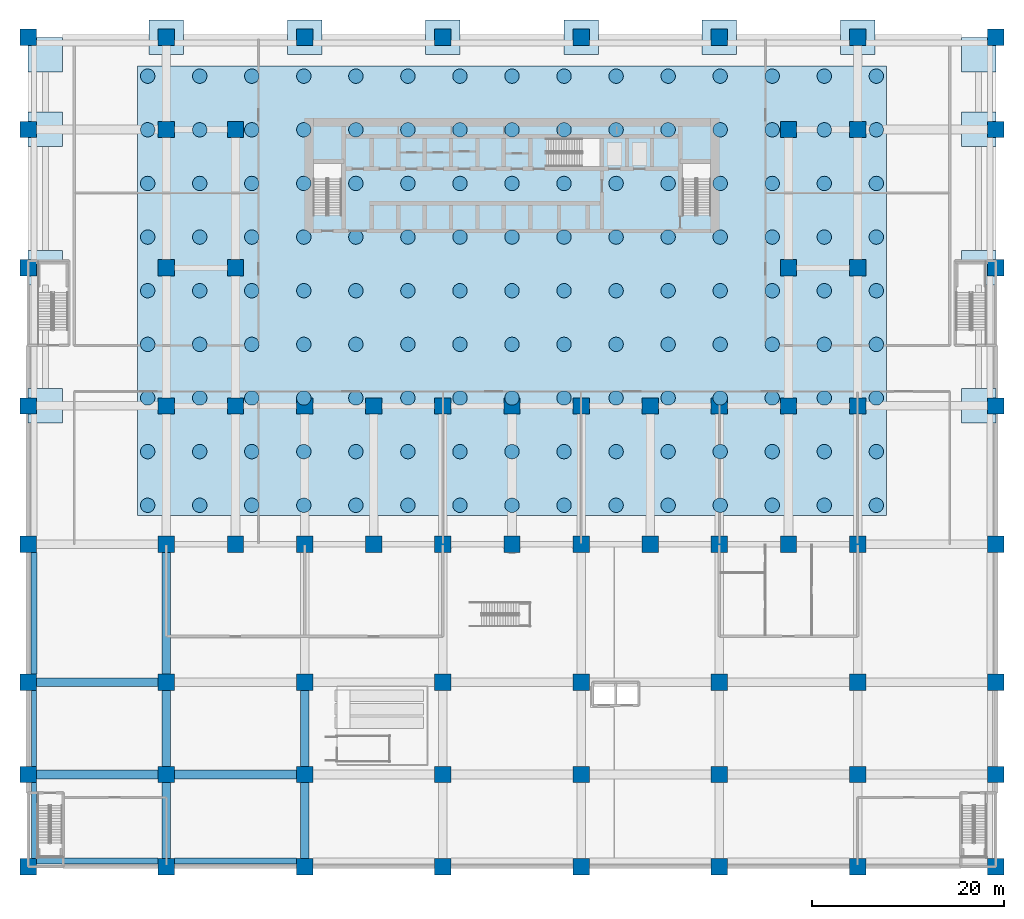
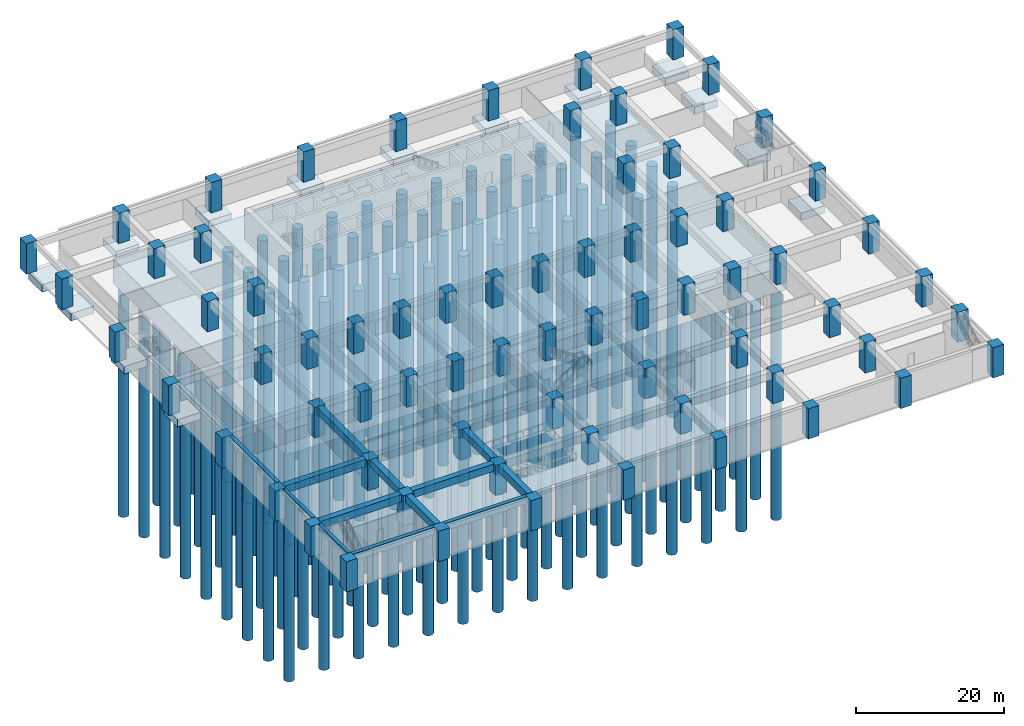
# One storey, part 1 of 20: 135 piles, 70 columns, 15 footings, 13 beams.
"""IFC4 building model written with IfcOpenShell, lengths in metres."""

from ifc_helpers import new_model, si_unit, direction, frame, origin, origin_2d, place, context, subcontext, project, spatial, polyline, rectangle, circle, outline, extrude, source, transform, mapped, material, material_profile, profile_set, type_object, element, save


model = new_model("IFC4")

# Units and contexts
model_context = context("Model", 3, precision=1e-05, world=origin(), true_north=direction((0.0, 1.0)))
body_context = subcontext(model_context, "Body", "Model", "MODEL_VIEW")
ifc_project = project(units=[si_unit("LENGTHUNIT", "METRE"), si_unit("AREAUNIT", "SQUARE_METRE"), si_unit("VOLUMEUNIT", "CUBIC_METRE"), si_unit("PLANEANGLEUNIT", "RADIAN"), si_unit("MASSUNIT", "GRAM", prefix="KILO")], contexts=[model_context])

# Site, building, storey
site_placement = place(None, origin())
site = spatial("IfcSite", under=ifc_project, at=site_placement, CompositionType="ELEMENT")
building_placement = place(site_placement, origin())
building = spatial("IfcBuilding", under=site, at=building_placement, Name="Saffron Iwan Residences", CompositionType="ELEMENT")
storey_placement = place(building_placement, frame((0.0, 0.0, -5.39990234375)))
storey = spatial("IfcBuildingStorey", under=building, at=storey_placement, Name="B1", CompositionType="ELEMENT", Elevation=-5.39990234375)

# Piles
ifc_material_1 = material(Name="Concrete C40/50", Category="concrete")
ifc_material_profile_1 = material_profile(ifc_material_1, circle(Radius=0.75, at=origin_2d()), Name="RC D1500")
ifc_profile_set_1 = profile_set([ifc_material_profile_1], Name="Concrete C40/50")
pile_type = type_object("IfcPileType", Name="BORED PILE D1500 C40/50", PredefinedType="BORED", material=ifc_profile_set_1)
for number, where, z_axis, x_axis, name in (
    (1, (12.449951171875, 37.64990234375, -4.25), (0.0, 0.0, -1.0), (1.0, 0.0, 0.0), "bored pile"),
    (2, (17.871337890625, 37.64990234375, -4.25), (0.0, 0.0, -1.0), (1.0, 0.0, 0.0), "bored pile"),
    (3, (23.29296875, 37.64990234375, -4.25), (0.0, 0.0, -1.0), (1.0, 0.0, 0.0), "bored pile"),
    (4, (28.71435546875, 37.64990234375, -4.25), (0.0, 0.0, -1.0), (1.0, 0.0, 0.0), "bored pile"),
    (5, (34.1357421875, 37.64990234375, -4.25), (0.0, 0.0, -1.0), (1.0, 0.0, 0.0), "bored pile"),
    (6, (39.55712890625, 37.64990234375, -4.25), (0.0, 0.0, -1.0), (1.0, 0.0, 0.0), "bored pile"),
    (7, (44.978515625, 37.64990234375, -4.25), (0.0, 0.0, -1.0), (1.0, 0.0, 0.0), "bored pile"),
    (8, (50.39990234375, 37.64990234375, -4.25), (0.0, 0.0, -1.0), (1.0, 0.0, 0.0), "bored pile"),
    (9, (55.8212890625, 37.64990234375, -4.25), (0.0, 0.0, -1.0), (1.0, 0.0, 0.0), "bored pile"),
    (10, (61.242919921875, 37.64990234375, -4.25), (0.0, 0.0, -1.0), (1.0, 0.0, 0.0), "bored pile"),
    (11, (66.664306640625, 37.64990234375, -4.25), (0.0, 0.0, -1.0), (1.0, 0.0, 0.0), "bored pile"),
    (12, (72.085693359375, 37.64990234375, -4.25), (0.0, 0.0, -1.0), (1.0, 0.0, 0.0), "bored pile"),
    (13, (77.507080078125, 37.64990234375, -4.25), (0.0, 0.0, -1.0), (1.0, 0.0, 0.0), "bored pile"),
    (14, (82.9287109375, 37.64990234375, -4.25), (0.0, 0.0, -1.0), (1.0, 0.0, 0.0), "bored pile"),
    (15, (88.35009765625, 37.64990234375, -4.25), (0.0, 0.0, -1.0), (1.0, 0.0, 0.0), "bored pile"),
    (16, (12.449951171875, 43.237548828125, -4.25), (0.0, 0.0, -1.0), (1.0, 0.0, 0.0), "bored pile"),
    (17, (17.871337890625, 43.237548828125, -4.25), (0.0, 0.0, -1.0), (1.0, 0.0, 0.0), "bored pile"),
    (18, (23.29296875, 43.237548828125, -4.25), (0.0, 0.0, -1.0), (1.0, 0.0, 0.0), "bored pile"),
    (19, (28.71435546875, 43.237548828125, -4.25), (0.0, 0.0, -1.0), (1.0, 0.0, 0.0), "bored pile"),
    (20, (34.1357421875, 43.237548828125, -4.25), (0.0, 0.0, -1.0), (1.0, 0.0, 0.0), "bored pile"),
    (21, (39.55712890625, 43.237548828125, -4.25), (0.0, 0.0, -1.0), (1.0, 0.0, 0.0), "bored pile"),
    (22, (44.978515625, 43.237548828125, -4.25), (0.0, 0.0, -1.0), (1.0, 0.0, 0.0), "bored pile"),
    (23, (50.39990234375, 43.237548828125, -4.25), (0.0, 0.0, -1.0), (1.0, 0.0, 0.0), "bored pile"),
    (24, (55.8212890625, 43.237548828125, -4.25), (0.0, 0.0, -1.0), (1.0, 0.0, 0.0), "bored pile"),
    (25, (61.242919921875, 43.237548828125, -4.25), (0.0, 0.0, -1.0), (1.0, 0.0, 0.0), "bored pile"),
    (26, (66.664306640625, 43.237548828125, -4.25), (0.0, 0.0, -1.0), (1.0, 0.0, 0.0), "bored pile"),
    (27, (72.085693359375, 43.237548828125, -4.25), (0.0, 0.0, -1.0), (1.0, 0.0, 0.0), "bored pile"),
    (28, (77.507080078125, 43.237548828125, -4.25), (0.0, 0.0, -1.0), (1.0, 0.0, 0.0), "bored pile"),
    (29, (82.9287109375, 43.237548828125, -4.25), (0.0, 0.0, -1.0), (1.0, 0.0, 0.0), "bored pile"),
    (30, (88.35009765625, 43.237548828125, -4.25), (0.0, 0.0, -1.0), (1.0, 0.0, 0.0), "bored pile"),
    (31, (12.449951171875, 48.824951171875, -4.25), (0.0, 0.0, -1.0), (1.0, 0.0, 0.0), "bored pile"),
    (32, (17.871337890625, 48.824951171875, -4.25), (0.0, 0.0, -1.0), (1.0, 0.0, 0.0), "bored pile"),
    (33, (23.29296875, 48.824951171875, -4.25), (0.0, 0.0, -1.0), (1.0, 0.0, 0.0), "bored pile"),
    (34, (28.71435546875, 48.824951171875, -4.25), (0.0, 0.0, -1.0), (1.0, 0.0, 0.0), "bored pile"),
    (35, (34.1357421875, 48.824951171875, -4.25), (0.0, 0.0, -1.0), (1.0, 0.0, 0.0), "bored pile"),
    (36, (39.55712890625, 48.824951171875, -4.25), (0.0, 0.0, -1.0), (1.0, 0.0, 0.0), "bored pile"),
    (37, (44.978515625, 48.824951171875, -4.25), (0.0, 0.0, -1.0), (1.0, 0.0, 0.0), "bored pile"),
    (38, (50.39990234375, 48.824951171875, -4.25), (0.0, 0.0, -1.0), (1.0, 0.0, 0.0), "bored pile"),
    (39, (55.8212890625, 48.824951171875, -4.25), (0.0, 0.0, -1.0), (1.0, 0.0, 0.0), "bored pile"),
    (40, (61.242919921875, 48.824951171875, -4.25), (0.0, 0.0, -1.0), (1.0, 0.0, 0.0), "bored pile"),
    (41, (66.664306640625, 48.824951171875, -4.25), (0.0, 0.0, -1.0), (1.0, 0.0, 0.0), "bored pile"),
    (42, (72.085693359375, 48.824951171875, -4.25), (0.0, 0.0, -1.0), (1.0, 0.0, 0.0), "bored pile"),
    (43, (77.507080078125, 48.824951171875, -4.25), (0.0, 0.0, -1.0), (1.0, 0.0, 0.0), "bored pile"),
    (44, (82.9287109375, 48.824951171875, -4.25), (0.0, 0.0, -1.0), (1.0, 0.0, 0.0), "bored pile"),
    (45, (88.35009765625, 48.824951171875, -4.25), (0.0, 0.0, -1.0), (1.0, 0.0, 0.0), "bored pile"),
    (46, (12.449951171875, 54.41259765625, -4.25), (0.0, 0.0, -1.0), (1.0, 0.0, 0.0), "bored pile"),
    (47, (17.871337890625, 54.41259765625, -4.25), (0.0, 0.0, -1.0), (1.0, 0.0, 0.0), "bored pile"),
    (48, (23.29296875, 54.41259765625, -4.25), (0.0, 0.0, -1.0), (1.0, 0.0, 0.0), "bored pile"),
    (49, (28.71435546875, 54.41259765625, -4.25), (0.0, 0.0, -1.0), (1.0, 0.0, 0.0), "bored pile"),
    (50, (34.1357421875, 54.41259765625, -4.25), (0.0, 0.0, -1.0), (1.0, 0.0, 0.0), "bored pile"),
    (51, (39.55712890625, 54.41259765625, -4.25), (0.0, 0.0, -1.0), (1.0, 0.0, 0.0), "bored pile"),
    (52, (44.978515625, 54.41259765625, -4.25), (0.0, 0.0, -1.0), (1.0, 0.0, 0.0), "bored pile"),
    (53, (50.39990234375, 54.41259765625, -4.25), (0.0, 0.0, -1.0), (1.0, 0.0, 0.0), "bored pile"),
    (54, (55.8212890625, 54.41259765625, -4.25), (0.0, 0.0, -1.0), (1.0, 0.0, 0.0), "bored pile"),
    (55, (61.242919921875, 54.41259765625, -4.25), (0.0, 0.0, -1.0), (1.0, 0.0, 0.0), "bored pile"),
    (56, (66.664306640625, 54.41259765625, -4.25), (0.0, 0.0, -1.0), (1.0, 0.0, 0.0), "bored pile"),
    (57, (72.085693359375, 54.41259765625, -4.25), (0.0, 0.0, -1.0), (1.0, 0.0, 0.0), "bored pile"),
    (58, (77.507080078125, 54.41259765625, -4.25), (0.0, 0.0, -1.0), (1.0, 0.0, 0.0), "bored pile"),
    (59, (82.9287109375, 54.41259765625, -4.25), (0.0, 0.0, -1.0), (1.0, 0.0, 0.0), "bored pile"),
    (60, (88.35009765625, 54.41259765625, -4.25), (0.0, 0.0, -1.0), (1.0, 0.0, 0.0), "bored pile"),
    (61, (12.449951171875, 60.0, -4.25), (0.0, 0.0, -1.0), (1.0, 0.0, 0.0), "bored pile"),
    (62, (17.871337890625, 60.0, -4.25), (0.0, 0.0, -1.0), (1.0, 0.0, 0.0), "bored pile"),
    (63, (23.29296875, 60.0, -4.25), (0.0, 0.0, -1.0), (1.0, 0.0, 0.0), "bored pile"),
    (64, (28.71435546875, 60.0, -4.25), (0.0, 0.0, -1.0), (1.0, 0.0, 0.0), "bored pile"),
    (65, (34.1357421875, 60.0, -4.25), (0.0, 0.0, -1.0), (1.0, 0.0, 0.0), "bored pile"),
    (66, (39.55712890625, 60.0, -4.25), (0.0, 0.0, -1.0), (1.0, 0.0, 0.0), "bored pile"),
    (67, (44.978515625, 60.0, -4.25), (0.0, 0.0, -1.0), (1.0, 0.0, 0.0), "bored pile"),
    (68, (50.39990234375, 60.0, -4.25), (0.0, 0.0, -1.0), (1.0, 0.0, 0.0), "bored pile"),
    (69, (55.8212890625, 60.0, -4.25), (0.0, 0.0, -1.0), (1.0, 0.0, 0.0), "bored pile"),
    (70, (61.242919921875, 60.0, -4.25), (0.0, 0.0, -1.0), (1.0, 0.0, 0.0), "bored pile"),
    (71, (66.664306640625, 60.0, -4.25), (0.0, 0.0, -1.0), (1.0, 0.0, 0.0), "bored pile"),
    (72, (72.085693359375, 60.0, -4.25), (0.0, 0.0, -1.0), (1.0, 0.0, 0.0), "bored pile"),
    (73, (77.507080078125, 60.0, -4.25), (0.0, 0.0, -1.0), (1.0, 0.0, 0.0), "bored pile"),
    (74, (82.9287109375, 60.0, -4.25), (0.0, 0.0, -1.0), (1.0, 0.0, 0.0), "bored pile"),
    (75, (88.35009765625, 60.0, -4.25), (0.0, 0.0, -1.0), (1.0, 0.0, 0.0), "bored pile"),
    (76, (12.449951171875, 65.58740234375, -4.25), (0.0, 0.0, -1.0), (1.0, 0.0, 0.0), "bored pile"),
    (77, (17.871337890625, 65.58740234375, -4.25), (0.0, 0.0, -1.0), (1.0, 0.0, 0.0), "bored pile"),
    (78, (23.29296875, 65.58740234375, -4.25), (0.0, 0.0, -1.0), (1.0, 0.0, 0.0), "bored pile"),
    (79, (28.71435546875, 65.58740234375, -4.25), (0.0, 0.0, -1.0), (1.0, 0.0, 0.0), "bored pile"),
    (80, (34.1357421875, 65.58740234375, -4.25), (0.0, 0.0, -1.0), (1.0, 0.0, 0.0), "bored pile"),
    (81, (39.55712890625, 65.58740234375, -4.25), (0.0, 0.0, -1.0), (1.0, 0.0, 0.0), "bored pile"),
    (82, (44.978515625, 65.58740234375, -4.25), (0.0, 0.0, -1.0), (1.0, 0.0, 0.0), "bored pile"),
    (83, (50.39990234375, 65.58740234375, -4.25), (0.0, 0.0, -1.0), (1.0, 0.0, 0.0), "bored pile"),
    (84, (55.8212890625, 65.58740234375, -4.25), (0.0, 0.0, -1.0), (1.0, 0.0, 0.0), "bored pile"),
    (85, (61.242919921875, 65.58740234375, -4.25), (0.0, 0.0, -1.0), (1.0, 0.0, 0.0), "bored pile"),
    (86, (66.664306640625, 65.58740234375, -4.25), (0.0, 0.0, -1.0), (1.0, 0.0, 0.0), "bored pile"),
    (87, (72.085693359375, 65.58740234375, -4.25), (0.0, 0.0, -1.0), (1.0, 0.0, 0.0), "bored pile"),
    (88, (77.507080078125, 65.58740234375, -4.25), (0.0, 0.0, -1.0), (1.0, 0.0, 0.0), "bored pile"),
    (89, (82.9287109375, 65.58740234375, -4.25), (0.0, 0.0, -1.0), (1.0, 0.0, 0.0), "bored pile"),
    (90, (88.35009765625, 65.58740234375, -4.25), (0.0, 0.0, -1.0), (1.0, 0.0, 0.0), "bored pile"),
    (91, (12.449951171875, 71.175048828125, -4.25), (0.0, 0.0, -1.0), (1.0, 0.0, 0.0), "bored pile"),
    (92, (17.871337890625, 71.175048828125, -4.25), (0.0, 0.0, -1.0), (1.0, 0.0, 0.0), "bored pile"),
    (93, (23.29296875, 71.175048828125, -4.25), (0.0, 0.0, -1.0), (1.0, 0.0, 0.0), "bored pile"),
    (94, (28.71435546875, 71.175048828125, -4.25), (0.0, 0.0, -1.0), (1.0, 0.0, 0.0), "bored pile"),
    (95, (34.1357421875, 71.175048828125, -4.25), (0.0, 0.0, -1.0), (1.0, 0.0, 0.0), "bored pile"),
    (96, (39.55712890625, 71.175048828125, -4.25), (0.0, 0.0, -1.0), (1.0, 0.0, 0.0), "bored pile"),
    (97, (44.978515625, 71.175048828125, -4.25), (0.0, 0.0, -1.0), (1.0, 0.0, 0.0), "bored pile"),
    (98, (50.39990234375, 71.175048828125, -4.25), (0.0, 0.0, -1.0), (1.0, 0.0, 0.0), "bored pile"),
    (99, (55.8212890625, 71.175048828125, -4.25), (0.0, 0.0, -1.0), (1.0, 0.0, 0.0), "bored pile"),
    (100, (61.242919921875, 71.175048828125, -4.25), (0.0, 0.0, -1.0), (1.0, 0.0, 0.0), "bored pile"),
    (101, (66.664306640625, 71.175048828125, -4.25), (0.0, 0.0, -1.0), (1.0, 0.0, 0.0), "bored pile"),
    (102, (72.085693359375, 71.175048828125, -4.25), (0.0, 0.0, -1.0), (1.0, 0.0, 0.0), "bored pile"),
    (103, (77.507080078125, 71.175048828125, -4.25), (0.0, 0.0, -1.0), (1.0, 0.0, 0.0), "bored pile"),
    (104, (82.9287109375, 71.175048828125, -4.25), (0.0, 0.0, -1.0), (1.0, 0.0, 0.0), "bored pile"),
    (105, (88.35009765625, 71.175048828125, -4.25), (0.0, 0.0, -1.0), (1.0, 0.0, 0.0), "bored pile"),
    (106, (12.449951171875, 76.762451171875, -4.25), (0.0, 0.0, -1.0), (1.0, 0.0, 0.0), "bored pile"),
    (107, (17.871337890625, 76.762451171875, -4.25), (0.0, 0.0, -1.0), (1.0, 0.0, 0.0), "bored pile"),
    (108, (23.29296875, 76.762451171875, -4.25), (0.0, 0.0, -1.0), (1.0, 0.0, 0.0), "bored pile"),
    (109, (28.71435546875, 76.762451171875, -4.25), (0.0, 0.0, -1.0), (1.0, 0.0, 0.0), "bored pile"),
    (110, (34.1357421875, 76.762451171875, -4.25), (0.0, 0.0, -1.0), (1.0, 0.0, 0.0), "bored pile"),
    (111, (39.55712890625, 76.762451171875, -4.25), (0.0, 0.0, -1.0), (1.0, 0.0, 0.0), "bored pile"),
    (112, (44.978515625, 76.762451171875, -4.25), (0.0, 0.0, -1.0), (1.0, 0.0, 0.0), "bored pile"),
    (113, (50.39990234375, 76.762451171875, -4.25), (0.0, 0.0, -1.0), (1.0, 0.0, 0.0), "bored pile"),
    (114, (55.8212890625, 76.762451171875, -4.25), (0.0, 0.0, -1.0), (1.0, 0.0, 0.0), "bored pile"),
    (115, (61.242919921875, 76.762451171875, -4.25), (0.0, 0.0, -1.0), (1.0, 0.0, 0.0), "bored pile"),
    (116, (66.664306640625, 76.762451171875, -4.25), (0.0, 0.0, -1.0), (1.0, 0.0, 0.0), "bored pile"),
    (117, (72.085693359375, 76.762451171875, -4.25), (0.0, 0.0, -1.0), (1.0, 0.0, 0.0), "bored pile"),
    (118, (77.507080078125, 76.762451171875, -4.25), (0.0, 0.0, -1.0), (1.0, 0.0, 0.0), "bored pile"),
    (119, (82.9287109375, 76.762451171875, -4.25), (0.0, 0.0, -1.0), (1.0, 0.0, 0.0), "bored pile"),
    (120, (88.35009765625, 76.762451171875, -4.25), (0.0, 0.0, -1.0), (1.0, 0.0, 0.0), "bored pile"),
    (121, (12.449951171875, 82.35009765625, -4.25), (0.0, 0.0, -1.0), (1.0, 0.0, 0.0), "bored pile"),
    (122, (17.871337890625, 82.35009765625, -4.25), (0.0, 0.0, -1.0), (1.0, 0.0, 0.0), "bored pile"),
    (123, (23.29296875, 82.35009765625, -4.25), (0.0, 0.0, -1.0), (1.0, 0.0, 0.0), "bored pile"),
    (124, (28.71435546875, 82.35009765625, -4.25), (0.0, 0.0, -1.0), (1.0, 0.0, 0.0), "bored pile"),
    (125, (34.1357421875, 82.35009765625, -4.25), (0.0, 0.0, -1.0), (1.0, 0.0, 0.0), "bored pile"),
    (126, (39.55712890625, 82.35009765625, -4.25), (0.0, 0.0, -1.0), (1.0, 0.0, 0.0), "bored pile"),
    (127, (44.978515625, 82.35009765625, -4.25), (0.0, 0.0, -1.0), (1.0, 0.0, 0.0), "bored pile"),
    (128, (50.39990234375, 82.35009765625, -4.25), (0.0, 0.0, -1.0), (1.0, 0.0, 0.0), "bored pile"),
    (129, (55.8212890625, 82.35009765625, -4.25), (0.0, 0.0, -1.0), (1.0, 0.0, 0.0), "bored pile"),
    (130, (61.242919921875, 82.35009765625, -4.25), (0.0, 0.0, -1.0), (1.0, 0.0, 0.0), "bored pile"),
    (131, (66.664306640625, 82.35009765625, -4.25), (0.0, 0.0, -1.0), (1.0, 0.0, 0.0), "bored pile"),
    (132, (72.085693359375, 82.35009765625, -4.25), (0.0, 0.0, -1.0), (1.0, 0.0, 0.0), "bored pile"),
    (133, (77.507080078125, 82.35009765625, -4.25), (0.0, 0.0, -1.0), (1.0, 0.0, 0.0), "bored pile"),
    (134, (82.9287109375, 82.35009765625, -4.25), (0.0, 0.0, -1.0), (1.0, 0.0, 0.0), "bored pile"),
    (135, (88.35009765625, 82.35009765625, -4.25), (0.0, 0.0, -1.0), (1.0, 0.0, 0.0), "bored pile"),
):
    element("IfcPile", number, at=place(storey_placement, frame(where, z_axis=z_axis, x_axis=x_axis)), inside=storey, type_object=pile_type, Name=name, PredefinedType="BORED", context=body_context, shape_type="SweptSolid", body=[
        extrude(circle(Radius=0.75, at=origin_2d()), origin(), (0.0, 0.0, 1.0), 38.0),
    ])

# Footings
footing_type_1 = type_object("IfcFootingType", Name="PILED RAFT 4000 C40/50", PredefinedType="PILE_CAP", material=ifc_material_1)
footing_placement = place(storey_placement, frame((0.0, 0.0, -4.400146484375)))
element("IfcFooting", 136, at=footing_placement, inside=storey, type_object=footing_type_1, Name="RAFT (piled raft)", PredefinedType="PILE_CAP", context=body_context, shape_type="SweptSolid", body=[
    extrude(outline(polyline([(11.39990234375, 36.60009765625), (89.39990234375, 36.60009765625), (89.39990234375, 83.39990234375), (11.39990234375, 83.39990234375), (11.39990234375, 36.60009765625)])), origin(), (0.0, 0.0, 1.0), 4.0),
])
footing_type_2 = type_object("IfcFootingType", Name="PAD 3600x3600x1200 C40/50", PredefinedType="PAD_FOOTING", material=ifc_material_1)
shared_shape_1 = source(origin(), body_context, "Body", "SweptSolid", [
    extrude(rectangle(XDim=3.60009765625, YDim=3.60009765625, at=origin_2d()), origin(), (0.0, 0.0, 1.0), 1.199951171875),
])
for number, where, z_axis, x_axis, name in (
    (137, (1.800048828125, 48.0, -1.60009765625), (0.0, 0.0, 1.0), (1.0, 0.0, 0.0), "Pad footing"),
    (138, (99.0, 48.0, -1.60009765625), (0.0, 0.0, 1.0), (1.0, 0.0, 0.0), "Pad footing"),
    (139, (1.800048828125, 62.39990234375, -1.60009765625), (0.0, 0.0, 1.0), (1.0, 0.0, 0.0), "Pad footing"),
    (140, (99.0, 62.39990234375, -1.60009765625), (0.0, 0.0, 1.0), (1.0, 0.0, 0.0), "Pad footing"),
    (141, (1.800048828125, 76.800048828125, -1.60009765625), (0.0, 0.0, 1.0), (1.0, 0.0, 0.0), "Pad footing"),
    (142, (99.0, 76.800048828125, -1.60009765625), (0.0, 0.0, 1.0), (1.0, 0.0, 0.0), "Pad footing"),
    (143, (1.800048828125, 84.60009765625, -1.60009765625), (0.0, 0.0, 1.0), (1.0, 0.0, 0.0), "Pad footing"),
    (144, (14.39990234375, 86.39990234375, -1.60009765625), (0.0, 0.0, 1.0), (1.0, 0.0, 0.0), "Pad footing"),
    (145, (28.800048828125, 86.39990234375, -1.60009765625), (0.0, 0.0, 1.0), (1.0, 0.0, 0.0), "Pad footing"),
    (146, (43.199951171875, 86.39990234375, -1.60009765625), (0.0, 0.0, 1.0), (1.0, 0.0, 0.0), "Pad footing"),
    (147, (57.60009765625, 86.39990234375, -1.60009765625), (0.0, 0.0, 1.0), (1.0, 0.0, 0.0), "Pad footing"),
    (148, (72.0, 86.39990234375, -1.60009765625), (0.0, 0.0, 1.0), (1.0, 0.0, 0.0), "Pad footing"),
    (149, (86.39990234375, 86.39990234375, -1.60009765625), (0.0, 0.0, 1.0), (1.0, 0.0, 0.0), "Pad footing"),
    (150, (99.0, 84.60009765625, -1.60009765625), (0.0, 0.0, 1.0), (1.0, 0.0, 0.0), "Pad footing"),
):
    element("IfcFooting", number, at=place(storey_placement, frame(where, z_axis=z_axis, x_axis=x_axis)), inside=storey, type_object=footing_type_2, Name=name, PredefinedType="PAD_FOOTING", context=body_context, shape_type="MappedRepresentation", body=[
        mapped(shared_shape_1, transform((0.0, 0.0, 0.0))),
    ])

# Columns
ifc_material_2 = material(Name="Concrete C50/60", Category="concrete")
ifc_material_profile_2 = material_profile(ifc_material_2, rectangle(XDim=1.699951171875, YDim=1.699951171875, at=origin_2d()), Name="RC 1700x1700")
ifc_profile_set_2 = profile_set([ifc_material_profile_2], Name="Concrete C50/60")
column_type = type_object("IfcColumnType", Name="COL RC 1700x1700 C50/60 5000 HIGH", PredefinedType="COLUMN", material=ifc_profile_set_2)
shared_shape_2 = source(origin(), body_context, "Body", "SweptSolid", [
    extrude(rectangle(XDim=1.699951171875, YDim=1.699951171875, at=origin_2d()), origin(), (0.0, 0.0, 1.0), 5.0),
])
for number, where, z_axis, x_axis, name in (
    (151, (0.0, 0.0, 0.0), (0.0, 0.0, 1.0), (1.0, 0.0, 0.0), "Column C001"),
    (152, (14.39990234375, 0.0, 0.0), (0.0, 0.0, 1.0), (1.0, 0.0, 0.0), "Column C002"),
    (153, (28.800048828125, 0.0, 0.0), (0.0, 0.0, 1.0), (1.0, 0.0, 0.0), "Column C003"),
    (154, (43.199951171875, 0.0, 0.0), (0.0, 0.0, 1.0), (1.0, 0.0, 0.0), "Column C004"),
    (155, (57.60009765625, 0.0, 0.0), (0.0, 0.0, 1.0), (1.0, 0.0, 0.0), "Column C005"),
    (156, (72.0, 0.0, 0.0), (0.0, 0.0, 1.0), (1.0, 0.0, 0.0), "Column C006"),
    (157, (86.39990234375, 0.0, 0.0), (0.0, 0.0, 1.0), (1.0, 0.0, 0.0), "Column C007"),
    (158, (100.800048828125, 0.0, 0.0), (0.0, 0.0, 1.0), (1.0, 0.0, 0.0), "Column C008"),
    (159, (0.0, 9.60009765625, 0.0), (0.0, 0.0, 1.0), (1.0, 0.0, 0.0), "Column C009"),
    (160, (14.39990234375, 9.60009765625, 0.0), (0.0, 0.0, 1.0), (1.0, 0.0, 0.0), "Column C010"),
    (161, (28.800048828125, 9.60009765625, 0.0), (0.0, 0.0, 1.0), (1.0, 0.0, 0.0), "Column C011"),
    (162, (43.199951171875, 9.60009765625, 0.0), (0.0, 0.0, 1.0), (1.0, 0.0, 0.0), "Column C012"),
    (163, (57.60009765625, 9.60009765625, 0.0), (0.0, 0.0, 1.0), (1.0, 0.0, 0.0), "Column C013"),
    (164, (72.0, 9.60009765625, 0.0), (0.0, 0.0, 1.0), (1.0, 0.0, 0.0), "Column C014"),
    (165, (86.39990234375, 9.60009765625, 0.0), (0.0, 0.0, 1.0), (1.0, 0.0, 0.0), "Column C015"),
    (166, (100.800048828125, 9.60009765625, 0.0), (0.0, 0.0, 1.0), (1.0, 0.0, 0.0), "Column C016"),
    (167, (0.0, 19.199951171875, 0.0), (0.0, 0.0, 1.0), (1.0, 0.0, 0.0), "Column C017"),
    (168, (14.39990234375, 19.199951171875, 0.0), (0.0, 0.0, 1.0), (1.0, 0.0, 0.0), "Column C018"),
    (169, (28.800048828125, 19.199951171875, 0.0), (0.0, 0.0, 1.0), (1.0, 0.0, 0.0), "Column C019"),
    (170, (43.199951171875, 19.199951171875, 0.0), (0.0, 0.0, 1.0), (1.0, 0.0, 0.0), "Column C020"),
    (171, (57.60009765625, 19.199951171875, 0.0), (0.0, 0.0, 1.0), (1.0, 0.0, 0.0), "Column C021"),
    (172, (72.0, 19.199951171875, 0.0), (0.0, 0.0, 1.0), (1.0, 0.0, 0.0), "Column C022"),
    (173, (86.39990234375, 19.199951171875, 0.0), (0.0, 0.0, 1.0), (1.0, 0.0, 0.0), "Column C023"),
    (174, (100.800048828125, 19.199951171875, 0.0), (0.0, 0.0, 1.0), (1.0, 0.0, 0.0), "Column C024"),
    (175, (0.0, 33.60009765625, 0.0), (0.0, 0.0, 1.0), (1.0, 0.0, 0.0), "Column C025"),
    (176, (14.39990234375, 33.60009765625, 0.0), (0.0, 0.0, 1.0), (1.0, 0.0, 0.0), "Column C026"),
    (177, (21.60009765625, 33.60009765625, 0.0), (0.0, 0.0, 1.0), (1.0, 0.0, 0.0), "Column C027"),
    (178, (28.800048828125, 33.60009765625, 0.0), (0.0, 0.0, 1.0), (1.0, 0.0, 0.0), "Column C028"),
    (179, (36.0, 33.60009765625, 0.0), (0.0, 0.0, 1.0), (1.0, 0.0, 0.0), "Column C029"),
    (180, (43.199951171875, 33.60009765625, 0.0), (0.0, 0.0, 1.0), (1.0, 0.0, 0.0), "Column C030"),
    (181, (50.39990234375, 33.60009765625, 0.0), (0.0, 0.0, 1.0), (1.0, 0.0, 0.0), "Column C031"),
    (182, (57.60009765625, 33.60009765625, 0.0), (0.0, 0.0, 1.0), (1.0, 0.0, 0.0), "Column C032"),
    (183, (64.800048828125, 33.60009765625, 0.0), (0.0, 0.0, 1.0), (1.0, 0.0, 0.0), "Column C033"),
    (184, (72.0, 33.60009765625, 0.0), (0.0, 0.0, 1.0), (1.0, 0.0, 0.0), "Column C034"),
    (185, (79.199951171875, 33.60009765625, 0.0), (0.0, 0.0, 1.0), (1.0, 0.0, 0.0), "Column C035"),
    (186, (86.39990234375, 33.60009765625, 0.0), (0.0, 0.0, 1.0), (1.0, 0.0, 0.0), "Column C036"),
    (187, (100.800048828125, 33.60009765625, 0.0), (0.0, 0.0, 1.0), (1.0, 0.0, 0.0), "Column C037"),
    (188, (0.0, 48.0, 0.0), (0.0, 0.0, 1.0), (1.0, 0.0, 0.0), "Column C059"),
    (189, (14.39990234375, 48.0, 0.0), (0.0, 0.0, 1.0), (1.0, 0.0, 0.0), "Column C060"),
    (190, (21.60009765625, 48.0, 0.0), (0.0, 0.0, 1.0), (1.0, 0.0, 0.0), "Column C063"),
    (191, (28.800048828125, 48.0, 0.0), (0.0, 0.0, 1.0), (1.0, 0.0, 0.0), "Column C064"),
    (192, (36.0, 48.0, 0.0), (0.0, 0.0, 1.0), (1.0, 0.0, 0.0), "Column C065"),
    (193, (43.199951171875, 48.0, 0.0), (0.0, 0.0, 1.0), (1.0, 0.0, 0.0), "Column C066"),
    (194, (50.39990234375, 48.0, 0.0), (0.0, 0.0, 1.0), (1.0, 0.0, 0.0), "Column C067"),
    (195, (57.60009765625, 48.0, 0.0), (0.0, 0.0, 1.0), (1.0, 0.0, 0.0), "Column C068"),
    (196, (64.800048828125, 48.0, 0.0), (0.0, 0.0, 1.0), (1.0, 0.0, 0.0), "Column C069"),
    (197, (72.0, 48.0, 0.0), (0.0, 0.0, 1.0), (1.0, 0.0, 0.0), "Column C071"),
    (198, (79.199951171875, 48.0, 0.0), (0.0, 0.0, 1.0), (1.0, 0.0, 0.0), "Column C072"),
    (199, (86.39990234375, 48.0, 0.0), (0.0, 0.0, 1.0), (1.0, 0.0, 0.0), "Column C075"),
    (200, (100.800048828125, 48.0, 0.0), (0.0, 0.0, 1.0), (1.0, 0.0, 0.0), "Column C076"),
    (201, (0.0, 62.39990234375, 0.0), (0.0, 0.0, 1.0), (1.0, 0.0, 0.0), "Column C087"),
    (202, (14.39990234375, 62.39990234375, 0.0), (0.0, 0.0, 1.0), (1.0, 0.0, 0.0), "Column C088"),
    (203, (21.60009765625, 62.39990234375, 0.0), (0.0, 0.0, 1.0), (1.0, 0.0, 0.0), "Column C091"),
    (204, (79.199951171875, 62.39990234375, 0.0), (0.0, 0.0, 1.0), (1.0, 0.0, 0.0), "Column C092"),
    (205, (86.39990234375, 62.39990234375, 0.0), (0.0, 0.0, 1.0), (1.0, 0.0, 0.0), "Column C095"),
    (206, (100.800048828125, 62.39990234375, 0.0), (0.0, 0.0, 1.0), (1.0, 0.0, 0.0), "Column C096"),
    (207, (0.0, 76.800048828125, 0.0), (0.0, 0.0, 1.0), (1.0, 0.0, 0.0), "Column C103"),
    (208, (14.39990234375, 76.800048828125, 0.0), (0.0, 0.0, 1.0), (1.0, 0.0, 0.0), "Column C104"),
    (209, (21.60009765625, 76.800048828125, 0.0), (0.0, 0.0, 1.0), (1.0, 0.0, 0.0), "Column C107"),
    (210, (79.199951171875, 76.800048828125, 0.0), (0.0, 0.0, 1.0), (1.0, 0.0, 0.0), "Column C108"),
    (211, (86.39990234375, 76.800048828125, 0.0), (0.0, 0.0, 1.0), (1.0, 0.0, 0.0), "Column C111"),
    (212, (100.800048828125, 76.800048828125, 0.0), (0.0, 0.0, 1.0), (1.0, 0.0, 0.0), "Column C112"),
    (213, (0.0, 86.39990234375, 0.0), (0.0, 0.0, 1.0), (1.0, 0.0, 0.0), "Column C124"),
    (214, (14.39990234375, 86.39990234375, 0.0), (0.0, 0.0, 1.0), (1.0, 0.0, 0.0), "Column C125"),
    (215, (28.800048828125, 86.39990234375, 0.0), (0.0, 0.0, 1.0), (1.0, 0.0, 0.0), "Column C126"),
    (216, (43.199951171875, 86.39990234375, 0.0), (0.0, 0.0, 1.0), (1.0, 0.0, 0.0), "Column C127"),
    (217, (57.60009765625, 86.39990234375, 0.0), (0.0, 0.0, 1.0), (1.0, 0.0, 0.0), "Column C128"),
    (218, (72.0, 86.39990234375, 0.0), (0.0, 0.0, 1.0), (1.0, 0.0, 0.0), "Column C129"),
    (219, (86.39990234375, 86.39990234375, 0.0), (0.0, 0.0, 1.0), (1.0, 0.0, 0.0), "Column C130"),
    (220, (100.800048828125, 86.39990234375, 0.0), (0.0, 0.0, 1.0), (1.0, 0.0, 0.0), "Column C131"),
):
    element("IfcColumn", number, at=place(storey_placement, frame(where, z_axis=z_axis, x_axis=x_axis)), inside=storey, type_object=column_type, Name=name, PredefinedType="COLUMN", context=body_context, shape_type="MappedRepresentation", body=[
        mapped(shared_shape_2, transform((0.0, 0.0, 0.0))),
    ])

# Beams
ifc_material_profile_3 = material_profile(ifc_material_2, rectangle(XDim=0.5, YDim=0.89990234375, at=origin_2d()), Name="RC 500x900")
ifc_profile_set_3 = profile_set([ifc_material_profile_3], Name="Concrete C50/60")
beam_type_1 = type_object("IfcBeamType", Name="SPANDREL BEAM RC 500x900 C50/60 TOP 5000", PredefinedType="SPANDREL", material=ifc_profile_set_3)
shared_shape_3 = source(origin(), body_context, "Body", "SweptSolid", [
    extrude(rectangle(XDim=0.5, YDim=0.89990234375, at=origin_2d()), origin(), (0.0, 0.0, 1.0), 7.89990234375),
])
beam_1_placement = place(storey_placement, frame((0.60009765625, 0.85009765625, 4.5498046875), z_axis=(0.0, 1.0, 0.0), x_axis=(-1.0, 0.0, 0.0)))
element("IfcBeam", 221, at=beam_1_placement, inside=storey, type_object=beam_type_1, Name="Spandrel beam", PredefinedType="SPANDREL", context=body_context, shape_type="MappedRepresentation", body=[
    mapped(shared_shape_3, transform((0.0, 0.0, 0.0))),
])
shared_shape_4 = source(origin(), body_context, "Body", "SweptSolid", [
    extrude(rectangle(XDim=0.5, YDim=0.89990234375, at=origin_2d()), origin(), (0.0, 0.0, 1.0), 7.900146484375),
])
beam_2_placement = place(storey_placement, frame((0.60009765625, 10.449951171875, 4.5498046875), z_axis=(0.0, 1.0, 0.0), x_axis=(-1.0, 0.0, 0.0)))
element("IfcBeam", 222, at=beam_2_placement, inside=storey, type_object=beam_type_1, Name="Spandrel beam", PredefinedType="SPANDREL", context=body_context, shape_type="MappedRepresentation", body=[
    mapped(shared_shape_4, transform((0.0, 0.0, 0.0))),
])
ifc_material_profile_4 = material_profile(ifc_material_2, rectangle(XDim=0.60009765625, YDim=1.199951171875, at=origin_2d()), Name="RC 600x1200")
ifc_profile_set_4 = profile_set([ifc_material_profile_4], Name="Concrete C50/60")
beam_type_2 = type_object("IfcBeamType", Name="LINTEL BEAM RC 600x1200 C50/60 TOP 5000", PredefinedType="LINTEL", material=ifc_profile_set_4)
shared_shape_5 = source(origin(), body_context, "Body", "SweptSolid", [
    extrude(rectangle(XDim=0.60009765625, YDim=1.199951171875, at=origin_2d()), origin(), (0.0, 0.0, 1.0), 12.699951171875),
])
for number, where, z_axis, x_axis, name in (
    (223, (13.550048828125, 0.60009765625, 4.39990234375), (-1.0, 0.0, 0.0), (0.0, -1.0, 0.0), "Lintel beam over the iwan"),
    (224, (27.949951171875, 0.60009765625, 4.39990234375), (-1.0, 0.0, 0.0), (0.0, -1.0, 0.0), "Lintel beam over the iwan"),
    (225, (0.60009765625, 20.050048828125, 4.39990234375), (0.0, 1.0, 0.0), (-1.0, 0.0, 0.0), "Lintel beam over the iwan"),
):
    element("IfcBeam", number, at=place(storey_placement, frame(where, z_axis=z_axis, x_axis=x_axis)), inside=storey, type_object=beam_type_2, Name=name, PredefinedType="LINTEL", context=body_context, shape_type="MappedRepresentation", body=[
        mapped(shared_shape_5, transform((0.0, 0.0, 0.0))),
    ])
ifc_material_profile_5 = material_profile(ifc_material_2, rectangle(XDim=0.89990234375, YDim=1.199951171875, at=origin_2d()), Name="RC 900x1200")
ifc_profile_set_5 = profile_set([ifc_material_profile_5], Name="Concrete C50/60")
beam_type_3 = type_object("IfcBeamType", Name="BEAM RC 900x1200 C50/60 TOP 5000", PredefinedType="BEAM", material=ifc_profile_set_5)
shared_shape_6 = source(origin(), body_context, "Body", "SweptSolid", [
    extrude(rectangle(XDim=0.89990234375, YDim=1.199951171875, at=origin_2d()), origin(), (0.0, 0.0, 1.0), 7.89990234375),
])
for number, where, z_axis, x_axis, name in (
    (226, (14.39990234375, 0.85009765625, 4.39990234375), (0.0, 1.0, 0.0), (-1.0, 0.0, 0.0), "Floor beam"),
    (227, (28.800048828125, 0.85009765625, 4.39990234375), (0.0, 1.0, 0.0), (-1.0, 0.0, 0.0), "Floor beam"),
):
    element("IfcBeam", number, at=place(storey_placement, frame(where, z_axis=z_axis, x_axis=x_axis)), inside=storey, type_object=beam_type_3, Name=name, PredefinedType="BEAM", context=body_context, shape_type="MappedRepresentation", body=[
        mapped(shared_shape_6, transform((0.0, 0.0, 0.0))),
    ])
shared_shape_7 = source(origin(), body_context, "Body", "SweptSolid", [
    extrude(rectangle(XDim=0.89990234375, YDim=1.199951171875, at=origin_2d()), origin(), (0.0, 0.0, 1.0), 12.699951171875),
])
for number, where, z_axis, x_axis, name in (
    (228, (0.85009765625, 9.60009765625, 4.39990234375), (1.0, 0.0, 0.0), (0.0, 1.0, 0.0), "Floor beam"),
    (229, (15.25, 9.60009765625, 4.39990234375), (1.0, 0.0, 0.0), (0.0, 1.0, 0.0), "Floor beam"),
    (230, (0.85009765625, 19.199951171875, 4.39990234375), (1.0, 0.0, 0.0), (0.0, 1.0, 0.0), "Floor beam"),
    (231, (14.39990234375, 20.050048828125, 4.39990234375), (0.0, 1.0, 0.0), (-1.0, 0.0, 0.0), "Floor beam"),
):
    element("IfcBeam", number, at=place(storey_placement, frame(where, z_axis=z_axis, x_axis=x_axis)), inside=storey, type_object=beam_type_3, Name=name, PredefinedType="BEAM", context=body_context, shape_type="MappedRepresentation", body=[
        mapped(shared_shape_7, transform((0.0, 0.0, 0.0))),
    ])
shared_shape_8 = source(origin(), body_context, "Body", "SweptSolid", [
    extrude(rectangle(XDim=0.89990234375, YDim=1.199951171875, at=origin_2d()), origin(), (0.0, 0.0, 1.0), 7.900146484375),
])
for number, where, z_axis, x_axis, name in (
    (232, (14.39990234375, 10.449951171875, 4.39990234375), (0.0, 1.0, 0.0), (-1.0, 0.0, 0.0), "Floor beam"),
    (233, (28.800048828125, 10.449951171875, 4.39990234375), (0.0, 1.0, 0.0), (-1.0, 0.0, 0.0), "Floor beam"),
):
    element("IfcBeam", number, at=place(storey_placement, frame(where, z_axis=z_axis, x_axis=x_axis)), inside=storey, type_object=beam_type_3, Name=name, PredefinedType="BEAM", context=body_context, shape_type="MappedRepresentation", body=[
        mapped(shared_shape_8, transform((0.0, 0.0, 0.0))),
    ])

save(model, "model.ifc")
